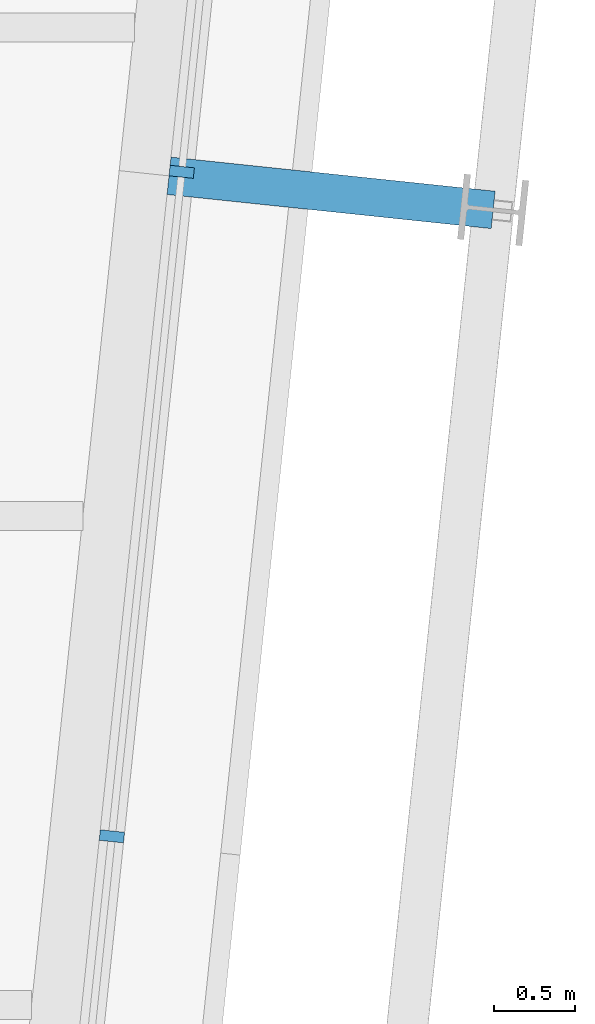
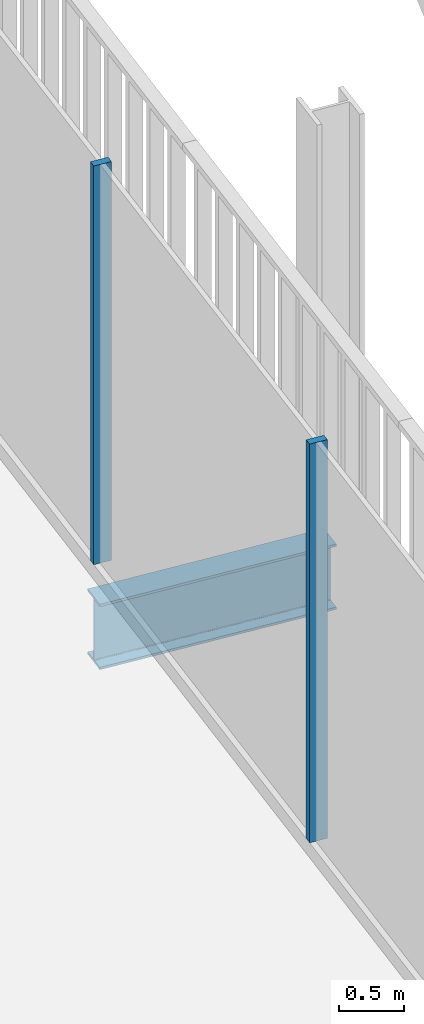
# One storey, part 11 of 21: 2 members, 1 beam, 1 element without a shape of its own.
"""IFC4 building model written with IfcOpenShell, lengths in metres."""

from ifc_helpers import new_model, si_unit, direction, frame, origin, origin_2d, place, context, subcontext, project, spatial, rectangle, i_section, extrude, material, layer, layer_set, material_profile, profile_set, type_object, element, aggregate, save


model = new_model("IFC4")

# Units and contexts
model_context = context("Model", 3, precision=1e-05, world=origin(), true_north=direction((0.0, 1.0)))
body_context = subcontext(model_context, "Body", "Model", "MODEL_VIEW")
ifc_project = project(units=[si_unit("LENGTHUNIT", "METRE"), si_unit("AREAUNIT", "SQUARE_METRE"), si_unit("VOLUMEUNIT", "CUBIC_METRE"), si_unit("PLANEANGLEUNIT", "RADIAN"), si_unit("MASSUNIT", "GRAM", prefix="KILO")], contexts=[model_context])

# Site, building, storey
site_placement = place(None, origin())
site = spatial("IfcSite", under=ifc_project, at=site_placement, CompositionType="ELEMENT")
building_placement = place(site_placement, origin())
building = spatial("IfcBuilding", under=site, at=building_placement, Name="Millrace Tower", CompositionType="ELEMENT")
storey_placement = place(building_placement, frame((0.0, 0.0, 291.60009765625)))
storey = spatial("IfcBuildingStorey", under=building, at=storey_placement, Name="L67", CompositionType="ELEMENT", Elevation=291.60009765625)

# Curtain wall, members
ifc_material_1 = material(Name="Aluminium and glass", Category="aluminium")
ifc_layer = layer(ifc_material_1, 0.14990234375)
ifc_layer_set = layer_set([ifc_layer], Name="Aluminium and glass")
curtain_wall_type = type_object("IfcCurtainWallType", Name="CW-1 office vision curtain wall", PredefinedType="NOTDEFINED", material=ifc_layer_set)
curtain_wall_placement = place(storey_placement, origin())
curtain_wall = element("IfcCurtainWall", 1, at=curtain_wall_placement, inside=storey, type_object=curtain_wall_type, Name="Curtain wall E-F04 L67", PredefinedType="NOTDEFINED")
ifc_material_2 = material(Name="Aluminium", Category="aluminium")
ifc_material_profile_1 = material_profile(ifc_material_2, rectangle(XDim=0.06494140625, YDim=0.14990234375, at=origin_2d()))
ifc_profile_set_1 = profile_set([ifc_material_profile_1], Name="Aluminium")
member_type = type_object("IfcMemberType", Name="CW-1 office vision curtain wall mullion", PredefinedType="MULLION", material=ifc_profile_set_1)
member_1_placement = place(storey_placement, frame((23.11767578125, 4.03515625, 0.139892578125), z_axis=(0.0, 0.0, 1.0), x_axis=(0.104528455196, 0.994521896217, 0.0)))
member_1 = element("IfcMember", 2, at=member_1_placement, type_object=member_type, Name="CW1 mullion E-F04.6", PredefinedType="MULLION", context=body_context, shape_type="SweptSolid", body=[
    extrude(rectangle(XDim=0.06494140625, YDim=0.14990234375, at=origin_2d()), origin(), (0.0, 0.0, 1.0), 3.760009765625),
])
member_2_placement = place(storey_placement, frame((23.546142578125, 8.11279296875, 0.139892578125), z_axis=(0.0, 0.0, 1.0), x_axis=(0.104528455196, 0.994521896217, 0.0)))
member_2 = element("IfcMember", 3, at=member_2_placement, type_object=member_type, Name="CW1 mullion E-F04.7", PredefinedType="MULLION", context=body_context, shape_type="SweptSolid", body=[
    extrude(rectangle(XDim=0.06494140625, YDim=0.14990234375, at=origin_2d()), origin(), (0.0, 0.0, 1.0), 3.760009765625),
])
aggregate(curtain_wall, [member_1, member_2])

# Beam
ifc_material_3 = material(Name="Steel ASTM A992 Grade 50", Category="steel")
ifc_material_profile_2 = material_profile(ifc_material_3, i_section(OverallWidth=0.23046875, OverallDepth=0.6171875, WebThickness=0.01318359375, FlangeThickness=0.022216796875, FilletRadius=0.012939453125, at=origin_2d()))
ifc_profile_set_2 = profile_set([ifc_material_profile_2], Name="Steel ASTM A992 Grade 50")
beam_type = type_object("IfcBeamType", Name="Link beam W24x94", PredefinedType="BEAM", material=ifc_profile_set_2)
beam_placement = place(storey_placement, frame((23.46826171875, 8.08837890625, -0.46875), z_axis=(0.994512808172, -0.104614886044, 0.0), x_axis=(0.104614886044, 0.994512808172, 0.0)))
element("IfcBeam", 4, at=beam_placement, inside=storey, type_object=beam_type, Name="LNK-E-L67-S1-10", PredefinedType="BEAM", context=body_context, shape_type="SweptSolid", body=[
    extrude(i_section(OverallWidth=0.23046875, OverallDepth=0.6171875, WebThickness=0.01318359375, FlangeThickness=0.022216796875, FilletRadius=0.012939453125, at=origin_2d()), origin(), (0.0, 0.0, 1.0), 2.0),
])

save(model, "model.ifc")
